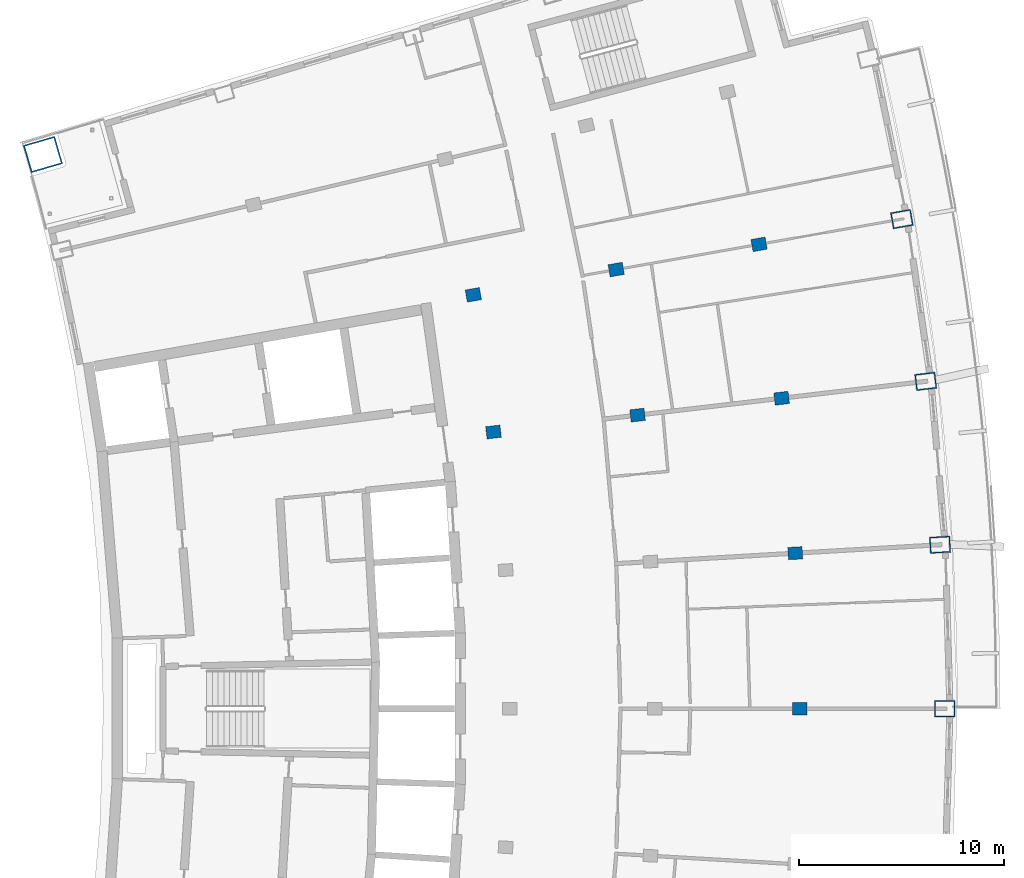
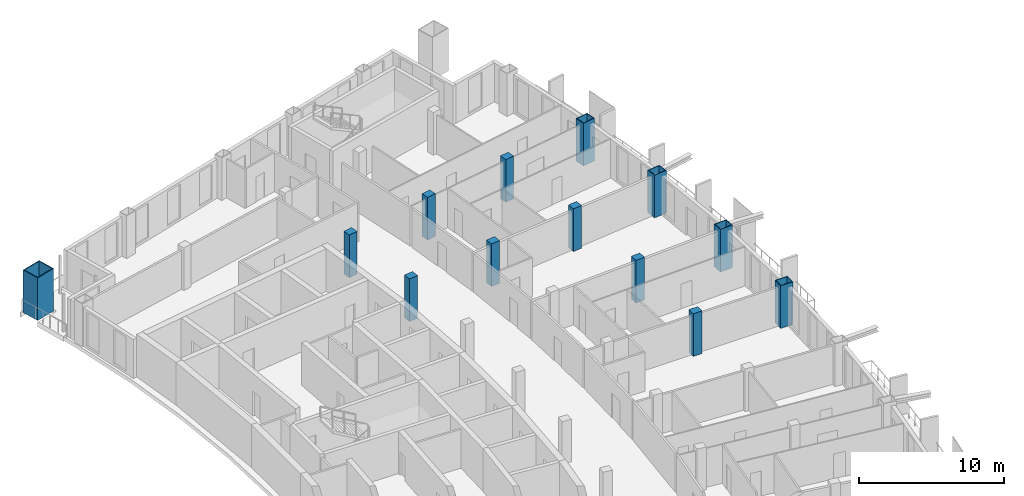
# One storey, part 4 of 15: 13 columns.
"""IFC4 building model written with IfcOpenShell, lengths in metres."""

import ifcopenshell
import ifcopenshell.guid

model = None  # the IFC model being written
_history = None  # IfcOwnerHistory: only IFC2X3 demands one
_inside = {}  # id of a spatial element -> (the spatial element, [elements in it])
_under = {}  # id of a project, library or spatial element -> (it, [spatial elements below it])
_declared = {}  # id of a project -> (the project, [libraries it declares])
_typed = {}  # id of a type object -> (the type object, [elements of that type])
_made_of = {}  # id of a material, layer set ... -> (it, [elements and type objects made of it])


def new_model(schema):
    """Start an empty IFC model of exactly this schema.

    Asked for "IFC4X3", IfcOpenShell would pick the latest addendum, in which some entities
    have other attributes; the version numbers below select the first issue.
    IFC2X3 requires an IfcOwnerHistory on every rooted entity: one is made here for all.
    """
    global model, _history
    if schema == "IFC4X3":
        model = ifcopenshell.file(schema_version=(4, 3, 0, 0))
    else:
        model = ifcopenshell.file(schema=schema)
    _inside.clear()
    _under.clear()
    _declared.clear()
    _typed.clear()
    _made_of.clear()
    _history = None
    if model.schema == "IFC2X3":
        org = make("IfcOrganization", Name="unknown")
        user = make(
            "IfcPersonAndOrganization",
            ThePerson=make("IfcPerson", FamilyName="unknown"),
            TheOrganization=org,
        )
        app = make(
            "IfcApplication",
            ApplicationDeveloper=org,
            Version="unknown",
            ApplicationFullName="unknown",
            ApplicationIdentifier="unknown",
        )
        _history = make(
            "IfcOwnerHistory",
            OwningUser=user,
            OwningApplication=app,
            ChangeAction="ADDED",
            CreationDate=0,
        )
    return model


def make(cls, **values):
    """One entity of the class cls with the attributes given. An attribute that is None is left unset."""
    return model.create_entity(
        cls, **{name: value for name, value in values.items() if value is not None}
    )


def rooted(cls, **values):
    """An entity with a GlobalId (a new one), such as an element, a storey or a relation."""
    return make(cls, GlobalId=ifcopenshell.guid.new(), OwnerHistory=_history, **values)


def si_unit(unit_type, name, prefix=None):
    """IfcSIUnit, for example si_unit("LENGTHUNIT", "METRE", prefix="MILLI")."""
    return make("IfcSIUnit", UnitType=unit_type, Prefix=prefix, Name=name)


def assignment(units):
    """IfcUnitAssignment: the units of a project."""
    return None if units is None else make("IfcUnitAssignment", Units=units)


def point(xyz):
    """IfcCartesianPoint."""
    return None if xyz is None else make("IfcCartesianPoint", Coordinates=xyz)


def direction(xyz):
    """IfcDirection."""
    return None if xyz is None else make("IfcDirection", DirectionRatios=xyz)


def frame(location, z_axis=None, x_axis=None):
    """IfcAxis2Placement3D, a coordinate frame: its origin and axes. An axis left out is left unset."""
    return make(
        "IfcAxis2Placement3D",
        Location=point(location),
        Axis=direction(z_axis),
        RefDirection=direction(x_axis),
    )


def frame_2d(location, x_axis=None):
    """IfcAxis2Placement2D, a coordinate frame in the plane: its origin and x axis."""
    return make(
        "IfcAxis2Placement2D", Location=point(location), RefDirection=direction(x_axis)
    )


def origin():
    """The frame at (0, 0, 0) with its axes left unset."""
    return frame((0.0, 0.0, 0.0))


def origin_2d():
    """The frame at (0, 0) in the plane with its x axis left unset."""
    return frame_2d((0.0, 0.0))


def place(relative_to, where):
    """IfcLocalPlacement: puts the frame where relative to a parent placement (None: the world)."""
    return make(
        "IfcLocalPlacement", PlacementRelTo=relative_to, RelativePlacement=where
    )


def context(
    kind, dimensions, precision=None, world=None, true_north=None, identifier=None
):
    """IfcGeometricRepresentationContext, for example the 3D "Model" context."""
    return make(
        "IfcGeometricRepresentationContext",
        ContextIdentifier=identifier,
        ContextType=kind,
        CoordinateSpaceDimension=dimensions,
        Precision=precision,
        WorldCoordinateSystem=world,
        TrueNorth=true_north,
    )


def subcontext(parent, identifier, kind, view, scale=None):
    """IfcGeometricRepresentationSubContext, for example "Body" below "Model"."""
    return make(
        "IfcGeometricRepresentationSubContext",
        ContextIdentifier=identifier,
        ContextType=kind,
        ParentContext=parent,
        TargetScale=scale,
        TargetView=view,
    )


def project(units=None, contexts=None):
    """IfcProject with its units and contexts."""
    return rooted(
        "IfcProject",
        Name="project",
        RepresentationContexts=contexts,
        UnitsInContext=assignment(units),
    )


def spatial(cls, under=None, at=None, **own):
    """A site, building, storey or space (cls), placed at a placement, below another one or the project."""
    s = rooted(cls, ObjectPlacement=at, **own)
    if under is not None:
        _under.setdefault(under.id(), (under, []))[1].append(s)
    return s


def profile(cls, at=None, kind="AREA", **sizes):
    """A parametric profile (cls). Its sizes go by their IFC names, for example OverallWidth=200.0."""
    return make(cls, ProfileType=kind, Position=at, **sizes)


def rectangle(**sizes):
    """IfcRectangleProfileDef."""
    return profile("IfcRectangleProfileDef", **sizes)


def hollow_rectangle(**sizes):
    """IfcRectangleHollowProfileDef."""
    return profile("IfcRectangleHollowProfileDef", **sizes)


def extrude(swept, where, along, depth):
    """IfcExtrudedAreaSolid: the profile swept, set in the frame where, extruded along a direction by depth."""
    return make(
        "IfcExtrudedAreaSolid",
        SweptArea=swept,
        Position=where,
        ExtrudedDirection=direction(along),
        Depth=depth,
    )


def shape(context_of_items, identifier, shape_type, items):
    """IfcShapeRepresentation: the items that make up one representation, for example the "Body"."""
    return make(
        "IfcShapeRepresentation",
        ContextOfItems=context_of_items,
        RepresentationIdentifier=identifier,
        RepresentationType=shape_type,
        Items=items,
    )


def material(Name=None, Category=None):
    """IfcMaterial."""
    return make("IfcMaterial", Name=Name, Category=Category)


def material_profile(
    of_material, cross_section, Name=None, Category=None, Priority=None
):
    """IfcMaterialProfile: a cross section and its material."""
    return make(
        "IfcMaterialProfile",
        Name=Name,
        Material=of_material,
        Profile=cross_section,
        Priority=Priority,
        Category=Category,
    )


def profile_set(profiles, Name=None, composite=None):
    """IfcMaterialProfileSet."""
    return make(
        "IfcMaterialProfileSet",
        Name=Name,
        MaterialProfiles=profiles,
        CompositeProfile=composite,
    )


def made_of(thing, what):
    """Note that an element or type object is made of a material, layer set ...; save() writes the relation."""
    if what is not None:
        _made_of.setdefault(what.id(), (what, []))[1].append(thing)
    return thing


def type_object(cls, material=None, **own):
    """A type object (cls), such as IfcWallType, which elements share."""
    return made_of(rooted(cls, **own), material)


def element(
    cls,
    number,
    at=None,
    inside=None,
    cuts=None,
    type_object=None,
    material=None,
    context=None,
    identifier="Body",
    shape_type=None,
    held_by="IfcProductDefinitionShape",
    body=None,
    shapes=None,
    **own,
):
    """One element of the class cls, such as IfcWall. Its Tag is "e" and its number.

    at: its placement. inside: the storey or other place that contains it. cuts: it is an
    opening in that element (IfcRelVoidsElement). A single representation is given by context,
    identifier, shape_type and body (its items); several are given by shapes. held_by: the class
    of the entity that holds the representations. save() writes the other relations.
    """
    e = rooted(cls, Tag="e%d" % number, ObjectPlacement=at, **own)
    if body is not None:
        shapes = [shape(context, identifier, shape_type, body)]
    if shapes is not None:
        e.Representation = make(held_by, Representations=shapes)
    if inside is not None:
        _inside.setdefault(inside.id(), (inside, []))[1].append(e)
    if cuts is not None:
        rooted(
            "IfcRelVoidsElement", RelatingBuildingElement=cuts, RelatedOpeningElement=e
        )
    if type_object is not None:
        _typed.setdefault(type_object.id(), (type_object, []))[1].append(e)
    return made_of(e, material)


def aggregate(whole, parts):
    """IfcRelAggregates: a whole, such as a stair, and the parts it consists of."""
    return rooted("IfcRelAggregates", RelatingObject=whole, RelatedObjects=parts)


def save(model, path):
    """Write the relations noted so far, then the file.

    IfcRelAggregates (storeys below a building ...), IfcRelContainedInSpatialStructure (elements
    in a storey), IfcRelDefinesByType, IfcRelAssociatesMaterial and IfcRelDeclares: one each for
    every whole, place, type object, material and project.
    """
    for whole, parts in _under.values():
        aggregate(whole, parts)
    for where, things in _inside.values():
        rooted(
            "IfcRelContainedInSpatialStructure",
            RelatedElements=things,
            RelatingStructure=where,
        )
    for kind, things in _typed.values():
        rooted("IfcRelDefinesByType", RelatedObjects=things, RelatingType=kind)
    for what, things in _made_of.values():
        rooted("IfcRelAssociatesMaterial", RelatedObjects=things, RelatingMaterial=what)
    for by, libraries in _declared.values():
        rooted("IfcRelDeclares", RelatingContext=by, RelatedDefinitions=libraries)
    model.write(path)


model = new_model("IFC4")

# Units and contexts
model_context = context("Model", 3, precision=1e-05, world=origin(), true_north=direction((0.0, 1.0)))
body_context = subcontext(model_context, "Body", "Model", "MODEL_VIEW")
ifc_project = project(units=[si_unit("LENGTHUNIT", "METRE"), si_unit("AREAUNIT", "SQUARE_METRE"), si_unit("VOLUMEUNIT", "CUBIC_METRE"), si_unit("PLANEANGLEUNIT", "RADIAN"), si_unit("MASSUNIT", "GRAM", prefix="KILO")], contexts=[model_context])

# Site, building, storey
site_placement = place(None, origin())
site = spatial("IfcSite", under=ifc_project, at=site_placement, CompositionType="ELEMENT")
building_placement = place(site_placement, origin())
building = spatial("IfcBuilding", under=site, at=building_placement, Name="Alderwake Tower", CompositionType="ELEMENT")
storey_placement = place(building_placement, frame((0.0, 0.0, 249.199951171875)))
storey = spatial("IfcBuildingStorey", under=building, at=storey_placement, Name="L61", CompositionType="ELEMENT", Elevation=249.199951171875)

# Columns
ifc_material_1 = material(Name="Concrete C70/85", Category="concrete")
ifc_material_profile_1 = material_profile(ifc_material_1, rectangle(XDim=0.60009765625, YDim=0.699951171875, at=origin_2d()), Name="RC 700X600")
ifc_profile_set_1 = profile_set([ifc_material_profile_1], Name="Concrete C70/85")
column_type_1 = type_object("IfcColumnType", Name="Interior column Z5", PredefinedType="COLUMN", material=ifc_profile_set_1)
for number, where, z_axis, x_axis, name in (
    (1, (49.933349609375, 61.0, 0.0), (0.0, 0.0, 1.0), (0.0, 1.0, 0.0), "Column R07-C4"),
    (2, (49.71240234375, 68.5751953125, 0.0), (0.0, 0.0, 1.0), (-0.058299318924, 0.998299148258, 0.0), "Column R08-C4"),
    (3, (35.0126953125, 74.4794921875, 0.0), (0.0, 0.0, 1.0), (-0.116402054316, 0.993202175668, 0.0), "Column R09-C2"),
    (4, (42.031494140625, 75.302001953125, 0.0), (0.0, 0.0, 1.0), (-0.116402054316, 0.993202175668, 0.0), "Column R09-C3"),
    (5, (49.050048828125, 76.12451171875, 0.0), (0.0, 0.0, 1.0), (-0.116402054316, 0.993202175668, 0.0), "Column R09-C4"),
    (6, (34.03125, 81.16162109375, 0.0), (0.0, 0.0, 1.0), (-0.174108800747, 0.984726421654, 0.0), "Column R10-C2"),
    (7, (40.989990234375, 82.39208984375, 0.0), (0.0, 0.0, 1.0), (-0.174108800747, 0.984726421654, 0.0), "Column R10-C3"),
    (8, (47.94873046875, 83.622314453125, 0.0), (0.0, 0.0, 1.0), (-0.174107082075, 0.984726725529, 0.0), "Column R10-C4"),
):
    element("IfcColumn", number, at=place(storey_placement, frame(where, z_axis=z_axis, x_axis=x_axis)), inside=storey, type_object=column_type_1, Name=name, PredefinedType="COLUMN", context=body_context, shape_type="SweptSolid", body=[
        extrude(rectangle(XDim=0.60009765625, YDim=0.699951171875, at=origin_2d()), origin(), (0.0, 0.0, 1.0), 3.60009765625),
    ])
ifc_material_2 = material(Name="Steel ASTM A572 Grade 50 concrete filled C70/85", Category="concrete")
ifc_material_profile_2 = material_profile(ifc_material_2, hollow_rectangle(XDim=1.39990234375, YDim=1.60009765625, WallThickness=0.070068359375, at=origin_2d()), Name="BOX 1600X1400X70")
ifc_profile_set_2 = profile_set([ifc_material_profile_2], Name="Steel ASTM A572 Grade 50 concrete filled C70/85")
column_type_2 = type_object("IfcColumnType", Name="Mega column Z5", PredefinedType="COLUMN", material=ifc_profile_set_2)
column_placement = place(storey_placement, frame((13.06298828125, 87.99755859375, 0.0), z_axis=(0.0, 0.0, 1.0), x_axis=(-0.278612301868, 0.960403657452, 0.0)))
element("IfcColumn", 9, at=column_placement, inside=storey, type_object=column_type_2, Name="Column R12-C0", PredefinedType="COLUMN", context=body_context, shape_type="SweptSolid", body=[
    extrude(hollow_rectangle(XDim=1.39990234375, YDim=1.60009765625, WallThickness=0.070068359375, at=origin_2d()), origin(), (0.0, 0.0, 1.0), 3.60009765625),
])
ifc_material_3 = material(Name="Steel ASTM A572 Grade 50 concrete filled C70/85", Category="concrete")
ifc_material_profile_3 = material_profile(ifc_material_3, hollow_rectangle(XDim=0.800048828125, YDim=1.0, WallThickness=0.054931640625, at=origin_2d()), Name="BOX 1000X800X55")
ifc_profile_set_3 = profile_set([ifc_material_profile_3], Name="Steel ASTM A572 Grade 50 concrete filled C70/85")
column_type_3 = type_object("IfcColumnType", Name="Perimeter column Z5", PredefinedType="COLUMN", material=ifc_profile_set_3)
for number, where, z_axis, x_axis, name in (
    (10, (57.0, 61.0, 0.0), (0.0, 0.0, 1.0), (0.0, 1.0, 0.0), "Column R07-C5"),
    (11, (56.76708984375, 68.987060546875, 0.0), (0.0, 0.0, 1.0), (-0.058299318924, 0.998299148258, 0.0), "Column R08-C5"),
    (12, (56.068603515625, 76.947021484375, 0.0), (0.0, 0.0, 1.0), (-0.116402054316, 0.993202175668, 0.0), "Column R09-C5"),
    (13, (54.907470703125, 84.852783203125, 0.0), (0.0, 0.0, 1.0), (-0.174108800747, 0.984726421654, 0.0), "Column R10-C5"),
):
    element("IfcColumn", number, at=place(storey_placement, frame(where, z_axis=z_axis, x_axis=x_axis)), inside=storey, type_object=column_type_3, Name=name, PredefinedType="COLUMN", context=body_context, shape_type="SweptSolid", body=[
        extrude(hollow_rectangle(XDim=0.800048828125, YDim=1.0, WallThickness=0.054931640625, at=origin_2d()), origin(), (0.0, 0.0, 1.0), 3.60009765625),
    ])

save(model, "model.ifc")
